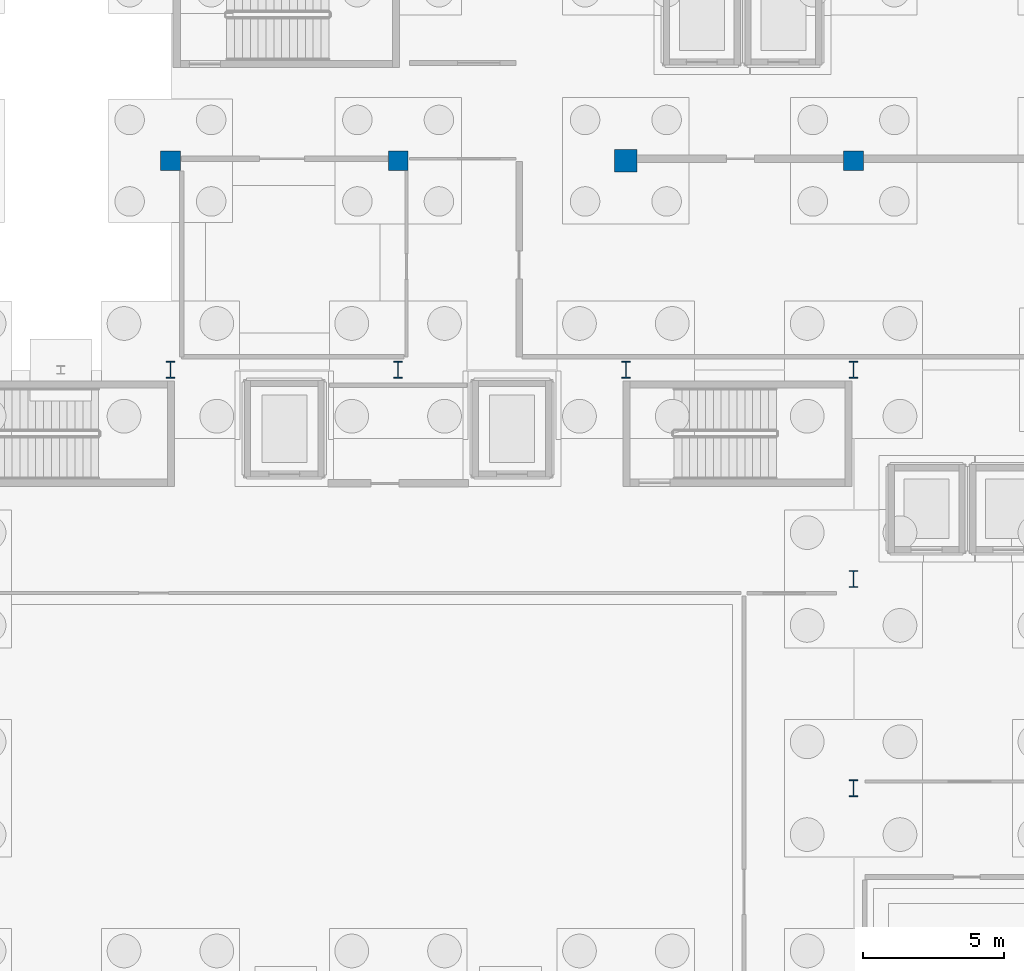
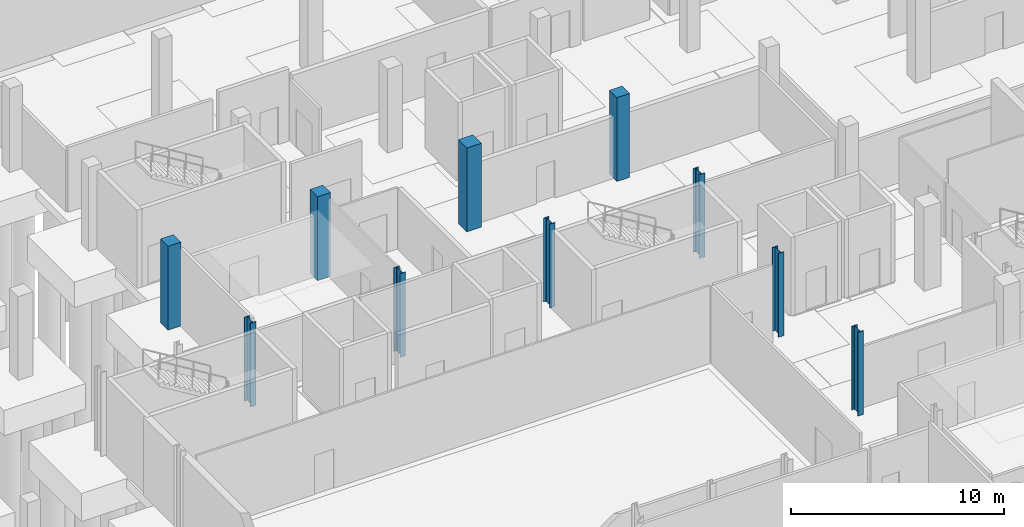
# One storey, part 19 of 37: 10 columns.
"""IFC4 building model written with IfcOpenShell, lengths in metres."""

from ifc_helpers import new_model, si_unit, direction, frame, origin, origin_2d, place, context, subcontext, project, spatial, rectangle, i_section, extrude, material, material_profile, profile_set, type_object, element, save


model = new_model("IFC4")

# Units and contexts
model_context = context("Model", 3, precision=1e-05, world=origin(), true_north=direction((0.0, 1.0)))
body_context = subcontext(model_context, "Body", "Model", "MODEL_VIEW")
ifc_project = project(units=[si_unit("LENGTHUNIT", "METRE"), si_unit("AREAUNIT", "SQUARE_METRE"), si_unit("VOLUMEUNIT", "CUBIC_METRE"), si_unit("PLANEANGLEUNIT", "RADIAN"), si_unit("MASSUNIT", "GRAM", prefix="KILO")], contexts=[model_context])

# Site, building, storey
site_placement = place(None, origin())
site = spatial("IfcSite", under=ifc_project, at=site_placement, CompositionType="ELEMENT")
building_placement = place(site_placement, origin())
building = spatial("IfcBuilding", under=site, at=building_placement, Name="Kaelora Sail Theatre", CompositionType="ELEMENT")
storey_placement = place(building_placement, frame((0.0, 0.0, -4.800048828125)))
storey = spatial("IfcBuildingStorey", under=building, at=storey_placement, Name="B1", CompositionType="ELEMENT", Elevation=-4.800048828125)

# Columns
ifc_material_1 = material(Name="Steel S355", Category="steel")
ifc_material_profile_1 = material_profile(ifc_material_1, i_section(OverallWidth=0.300048828125, OverallDepth=0.60009765625, WebThickness=0.015380859375, FlangeThickness=0.030029296875, FilletRadius=0.027099609375, at=origin_2d()), Name="HEB 600")
ifc_profile_set_1 = profile_set([ifc_material_profile_1], Name="Steel S355")
column_type_1 = type_object("IfcColumnType", Name="STR-COL-C-HEB600", PredefinedType="COLUMN", material=ifc_profile_set_1)
for number, where, z_axis, x_axis, name in (
    (1, (33.89990234375, 83.340087890625, 0.0), (0.0, 0.0, 1.0), (1.0, 0.0, 0.0), "Column 5/L (B1)"),
    (2, (42.0, 83.340087890625, 0.0), (0.0, 0.0, 1.0), (1.0, 0.0, 0.0), "Column 6/L (B1)"),
    (3, (50.10009765625, 83.340087890625, 0.0), (0.0, 0.0, 1.0), (1.0, 0.0, 0.0), "Column 7/L (B1)"),
    (4, (58.199951171875, 68.4599609375, 0.0), (0.0, 0.0, 1.0), (1.0, 0.0, 0.0), "Column 8/J (B1)"),
    (5, (58.199951171875, 75.89990234375, 0.0), (0.0, 0.0, 1.0), (1.0, 0.0, 0.0), "Column 8/K (B1)"),
    (6, (58.199951171875, 83.340087890625, 0.0), (0.0, 0.0, 1.0), (1.0, 0.0, 0.0), "Column 8/L (B1)"),
):
    element("IfcColumn", number, at=place(storey_placement, frame(where, z_axis=z_axis, x_axis=x_axis)), inside=storey, type_object=column_type_1, Name=name, PredefinedType="COLUMN", context=body_context, shape_type="SweptSolid", body=[
        extrude(i_section(OverallWidth=0.300048828125, OverallDepth=0.60009765625, WebThickness=0.015380859375, FlangeThickness=0.030029296875, FilletRadius=0.027099609375, at=origin_2d()), origin(), (0.0, 0.0, 1.0), 4.800048828125),
    ])
ifc_material_2 = material(Name="Concrete C45/55", Category="concrete")
ifc_material_profile_2 = material_profile(ifc_material_2, rectangle(XDim=0.699951171875, YDim=0.699951171875, at=origin_2d()), Name="RC-COL 700x700")
ifc_profile_set_2 = profile_set([ifc_material_profile_2], Name="Concrete C45/55")
column_type_2 = type_object("IfcColumnType", Name="STR-COL-C-RC700", PredefinedType="COLUMN", material=ifc_profile_set_2)
for number, where, z_axis, x_axis, name in (
    (7, (33.89990234375, 90.780029296875, 0.0), (0.0, 0.0, 1.0), (1.0, 0.0, 0.0), "Column 5/M (B1)"),
    (8, (42.0, 90.780029296875, 0.0), (0.0, 0.0, 1.0), (1.0, 0.0, 0.0), "Column 6/M (B1)"),
    (9, (58.199951171875, 90.780029296875, 0.0), (0.0, 0.0, 1.0), (1.0, 0.0, 0.0), "Column 8/M (B1)"),
):
    element("IfcColumn", number, at=place(storey_placement, frame(where, z_axis=z_axis, x_axis=x_axis)), inside=storey, type_object=column_type_2, Name=name, PredefinedType="COLUMN", context=body_context, shape_type="SweptSolid", body=[
        extrude(rectangle(XDim=0.699951171875, YDim=0.699951171875, at=origin_2d()), origin(), (0.0, 0.0, 1.0), 4.800048828125),
    ])
ifc_material_3 = material(Name="Concrete C50/60", Category="concrete")
ifc_material_profile_3 = material_profile(ifc_material_3, rectangle(XDim=0.800048828125, YDim=0.800048828125, at=origin_2d()), Name="RC-COL 800x800")
ifc_profile_set_3 = profile_set([ifc_material_profile_3], Name="Concrete C50/60")
column_type_3 = type_object("IfcColumnType", Name="STR-COL-C-RC800", PredefinedType="COLUMN", material=ifc_profile_set_3)
column_placement = place(storey_placement, frame((50.10009765625, 90.780029296875, 0.0), z_axis=(0.0, 0.0, 1.0), x_axis=(1.0, 0.0, 0.0)))
element("IfcColumn", 10, at=column_placement, inside=storey, type_object=column_type_3, Name="Column 7/M (B1)", PredefinedType="COLUMN", context=body_context, shape_type="SweptSolid", body=[
    extrude(rectangle(XDim=0.800048828125, YDim=0.800048828125, at=origin_2d()), origin(), (0.0, 0.0, 1.0), 4.800048828125),
])

save(model, "model.ifc")
